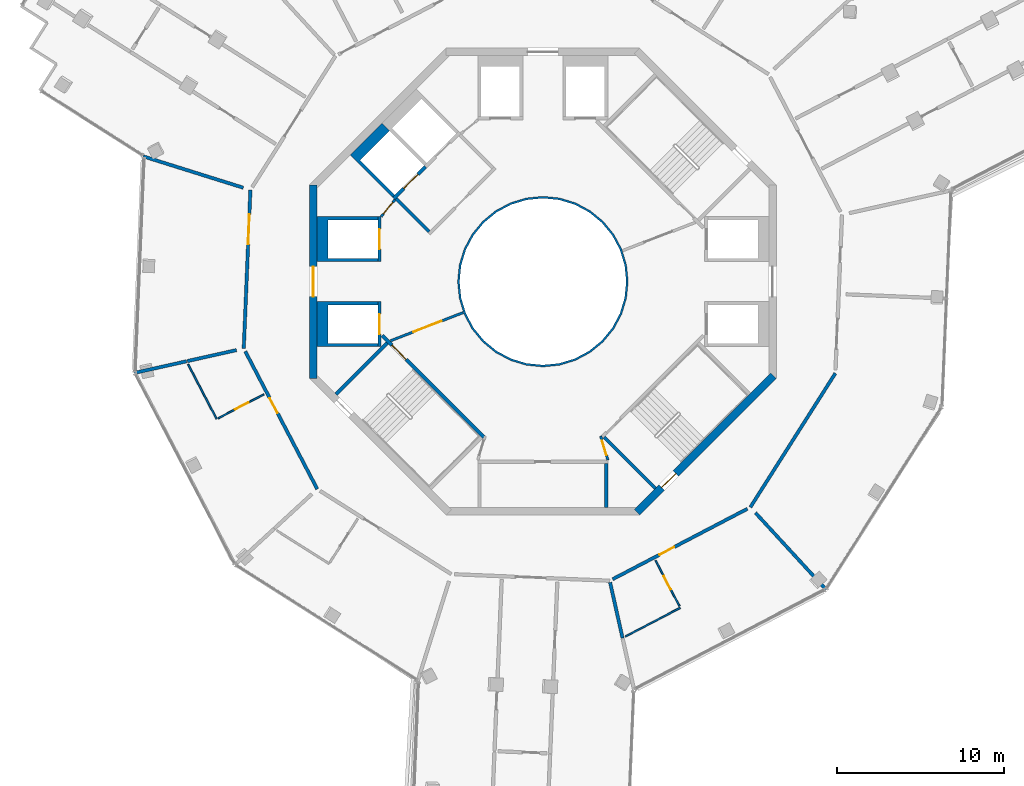
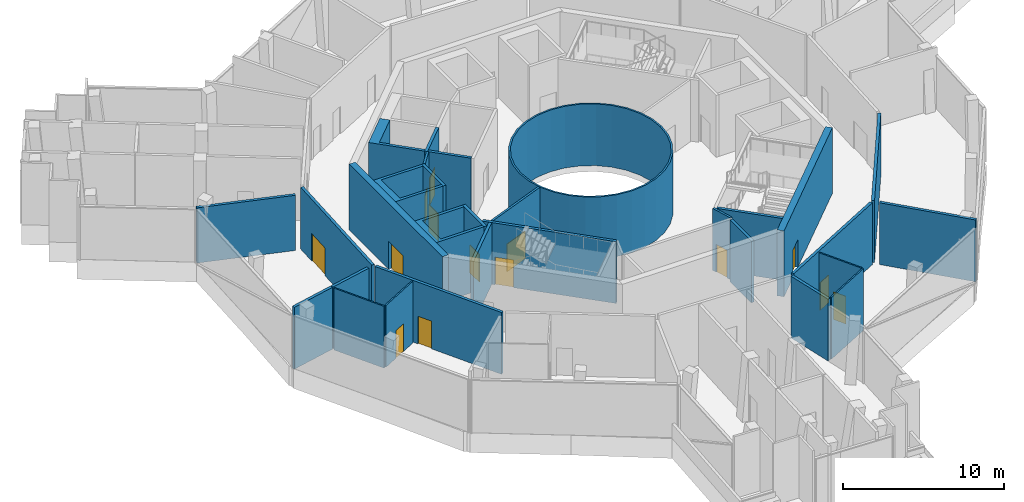
# One storey, part 12 of 21: 30 walls, 14 doors, 14 openings.
"""IFC4 building model written with IfcOpenShell, lengths in metres."""

from ifc_helpers import new_model, si_unit, direction, frame, frame_2d, origin, place, context, subcontext, project, spatial, polyline, rectangle, outline, extrude, material, layer, layer_set, type_object, element, fill, save


model = new_model("IFC4")

# Units and contexts
model_context = context("Model", 3, precision=1e-05, world=origin(), true_north=direction((0.0, 1.0)))
body_context = subcontext(model_context, "Body", "Model", "MODEL_VIEW")
ifc_project = project(units=[si_unit("LENGTHUNIT", "METRE"), si_unit("AREAUNIT", "SQUARE_METRE"), si_unit("VOLUMEUNIT", "CUBIC_METRE"), si_unit("PLANEANGLEUNIT", "RADIAN"), si_unit("MASSUNIT", "GRAM", prefix="KILO")], contexts=[model_context])

# Site, building, storey
site_placement = place(None, origin())
site = spatial("IfcSite", under=ifc_project, at=site_placement, CompositionType="ELEMENT")
building_placement = place(site_placement, origin())
building = spatial("IfcBuilding", under=site, at=building_placement, Name="Verdalira Terraces Hotel", CompositionType="ELEMENT")
storey_placement = place(building_placement, frame((0.0, 0.0, 269.0)))
storey = spatial("IfcBuildingStorey", under=building, at=storey_placement, Name="L66", CompositionType="ELEMENT", Elevation=269.0)

# Walls
ifc_material_1 = material(Name="Fire-resisting glass EI 180", Category="glass")
ifc_layer_1 = layer(ifc_material_1, 0.1201171875)
ifc_layer_set_1 = layer_set([ifc_layer_1], Name="Atrium fire screen 120 mm")
wall_type_1 = type_object("IfcWallType", Name="Atrium fire screen 120 mm", PredefinedType="SOLIDWALL", material=ifc_layer_set_1)
wall_1_placement = place(storey_placement, origin())
element("IfcWall", 1, at=wall_1_placement, inside=storey, type_object=wall_type_1, Name="Atrium fire screen", PredefinedType="SOLIDWALL", context=body_context, shape_type="SweptSolid", body=[
    extrude(outline(polyline([(5.021484, -0.998779), (4.730225, -1.959229), (4.25708, -2.844482), (3.620361, -3.620361), (2.844482, -4.25708), (1.959229, -4.730225), (0.998779, -5.021484), (0.0, -5.120117), (-0.998779, -5.021484), (-1.959229, -4.730225), (-2.844482, -4.25708), (-3.620361, -3.620361), (-4.25708, -2.844482), (-4.730225, -1.959229), (-5.021484, -0.998779), (-5.120117, 0.0), (-5.021484, 0.998779), (-4.730225, 1.959229), (-4.25708, 2.844482), (-3.620361, 3.620361), (-2.844482, 4.25708), (-1.959229, 4.730225), (-0.998779, 5.021484), (0.0, 5.120117), (0.998779, 5.021484), (1.959229, 4.730225), (2.844482, 4.25708), (3.620361, 3.620361), (4.25708, 2.844482), (4.730225, 1.959229), (5.021484, 0.998779), (5.120117, 0.0), (5.021484, -0.998779)]), holes=[polyline([(4.903809, 0.975586), (4.619385, 1.91333), (4.157227, 2.777832), (3.5354, 3.5354), (2.777832, 4.157227), (1.91333, 4.619385), (0.975586, 4.903809), (0.0, 5.0), (-0.975586, 4.903809), (-1.91333, 4.619385), (-2.777832, 4.157227), (-3.5354, 3.5354), (-4.157227, 2.777832), (-4.619385, 1.91333), (-4.903809, 0.975586), (-5.0, 0.0), (-4.903809, -0.975586), (-4.619385, -1.91333), (-4.157227, -2.777832), (-3.5354, -3.5354), (-2.777832, -4.157227), (-1.91333, -4.619385), (-0.975586, -4.903809), (0.0, -5.0), (0.975586, -4.903809), (1.91333, -4.619385), (2.777832, -4.157227), (3.5354, -3.5354), (4.157227, -2.777832), (4.619385, -1.91333), (4.903809, -0.975586), (5.0, 0.0), (4.903809, 0.975586)])]), origin(), (0.0, 0.0, 1.0), 4.689941),
])
ifc_material_2 = material(Name="Moisture-resistant gypsum board partition")
ifc_layer_2 = layer(ifc_material_2, 0.10009765625)
ifc_layer_set_2 = layer_set([ifc_layer_2], Name="Bathroom partition 100 mm")
wall_type_2 = type_object("IfcWallType", Name="Bathroom partition 100 mm", PredefinedType="PARTITIONING", material=ifc_layer_set_2)
wall_2_placement = place(storey_placement, frame((-19.565186, -8.244385, 0.0), z_axis=(0.0, 0.0, 1.0), x_axis=(-0.463302447, 0.886200227, 0.0)))
element("IfcWall", 2, at=wall_2_placement, inside=storey, type_object=wall_type_2, Name="Bathroom partition", PredefinedType="PARTITIONING", context=body_context, shape_type="SweptSolid", body=[
    extrude(rectangle(XDim=3.704102, YDim=0.100098, at=frame_2d((1.852051, 0.0))), origin(), (0.0, 0.0, 1.0), 4.689941),
])

# Wall, opening, door
wall_3_placement = place(storey_placement, frame((-19.476562, -8.197998, 0.0), z_axis=(0.0, 0.0, 1.0), x_axis=(0.886184288, 0.463332934, 0.0)))
wall_3 = element("IfcWall", 3, at=wall_3_placement, inside=storey, type_object=wall_type_2, Name="Bathroom partition", PredefinedType="PARTITIONING", context=body_context, shape_type="SweptSolid", body=[
    extrude(rectangle(XDim=3.099854, YDim=0.100098, at=frame_2d((1.549805, 0.0))), origin(), (0.0, 0.0, 1.0), 4.689941),
])
opening_1_placement = place(wall_3_placement, frame((1.149902, 0.0, 0.0)))
opening_1 = element("IfcOpeningElement", 4, at=opening_1_placement, cuts=wall_3, Name="Opening L66-107", PredefinedType="OPENING", context=body_context, shape_type="SweptSolid", body=[
    extrude(rectangle(XDim=0.899902, YDim=2.100098, at=frame_2d((0.449951, 1.050049))), frame((0.0, 0.060059, 0.0), z_axis=(0.0, -1.0, 0.0), x_axis=(1.0, 0.0, 0.0)), (0.0, 0.0, 1.0), 0.120117),
])
ifc_material_3 = material(Name="Timber door", Category="wood")
door_type_1 = type_object("IfcDoorType", Name="Bathroom door 900 x 2100", OperationType="NOTDEFINED", PredefinedType="DOOR", material=ifc_material_3)
door_1_placement = place(opening_1_placement, origin())
door_1 = element("IfcDoor", 5, at=door_1_placement, inside=storey, type_object=door_type_1, Name="Bathroom door 6603", OperationType="SINGLE_SWING_LEFT", OverallHeight=2.10009765625, OverallWidth=0.89990234375, PredefinedType="DOOR", context=body_context, shape_type="SweptSolid", body=[
    extrude(rectangle(XDim=0.899902, YDim=2.100098, at=frame_2d((0.449951, 1.050049))), frame((0.0, 0.024902, 0.0), z_axis=(0.0, -1.0, 0.0), x_axis=(1.0, 0.0, 0.0)), (0.0, 0.0, 1.0), 0.050049),
])
fill(opening_1, door_1)

# Wall
wall_4_placement = place(storey_placement, frame((8.244385, -19.565186, 0.0), z_axis=(0.0, 0.0, 1.0), x_axis=(-0.886200227, -0.463302447, 0.0)))
element("IfcWall", 6, at=wall_4_placement, inside=storey, type_object=wall_type_2, Name="Bathroom partition", PredefinedType="PARTITIONING", context=body_context, shape_type="SweptSolid", body=[
    extrude(rectangle(XDim=3.704102, YDim=0.100098, at=frame_2d((1.852051, 0.0))), origin(), (0.0, 0.0, 1.0), 4.689941),
])

# Wall, opening, door
wall_5_placement = place(storey_placement, frame((8.197998, -19.476562, 0.0), z_axis=(0.0, 0.0, 1.0), x_axis=(-0.463332934, 0.886184288, 0.0)))
wall_5 = element("IfcWall", 7, at=wall_5_placement, inside=storey, type_object=wall_type_2, Name="Bathroom partition", PredefinedType="PARTITIONING", context=body_context, shape_type="SweptSolid", body=[
    extrude(rectangle(XDim=3.099854, YDim=0.100098, at=frame_2d((1.549805, 0.0))), origin(), (0.0, 0.0, 1.0), 4.689941),
])
opening_2_placement = place(wall_5_placement, frame((1.149902, 0.0, 0.0)))
opening_2 = element("IfcOpeningElement", 8, at=opening_2_placement, cuts=wall_5, Name="Opening L66-115", PredefinedType="OPENING", context=body_context, shape_type="SweptSolid", body=[
    extrude(rectangle(XDim=0.899902, YDim=2.100098, at=frame_2d((0.449951, 1.050049))), frame((0.0, 0.060059, 0.0), z_axis=(0.0, -1.0, 0.0), x_axis=(1.0, 0.0, 0.0)), (0.0, 0.0, 1.0), 0.120117),
])
door_2_placement = place(opening_2_placement, origin())
door_2 = element("IfcDoor", 9, at=door_2_placement, inside=storey, type_object=door_type_1, Name="Bathroom door 6606", OperationType="SINGLE_SWING_LEFT", OverallHeight=2.10009765625, OverallWidth=0.89990234375, PredefinedType="DOOR", context=body_context, shape_type="SweptSolid", body=[
    extrude(rectangle(XDim=0.899902, YDim=2.100098, at=frame_2d((0.449951, 1.050049))), frame((0.0, 0.024902, 0.0), z_axis=(0.0, -1.0, 0.0), x_axis=(1.0, 0.0, 0.0)), (0.0, 0.0, 1.0), 0.050049),
])
fill(opening_2, door_2)

# Wall
ifc_material_4 = material(Name="Concrete C50", Category="concrete")
ifc_layer_3 = layer(ifc_material_4, 0.199951171875)
ifc_layer_set_3 = layer_set([ifc_layer_3], Name="Core RC wall 200 C50")
wall_type_3 = type_object("IfcWallType", Name="Core RC wall 200 C50", PredefinedType="SOLIDWALL", material=ifc_layer_set_3)
wall_6_placement = place(storey_placement, origin())
element("IfcWall", 10, at=wall_6_placement, inside=storey, type_object=wall_type_3, Name="L66 shaft wall W1", PredefinedType="SOLIDWALL", context=body_context, shape_type="SweptSolid", body=[
    extrude(outline(polyline([(-13.550049, 3.899902), (-9.899902, 3.899902), (-9.899902, 3.699951), (-12.899902, 3.699951), (-12.899902, 1.399902), (-9.899902, 1.399902), (-9.899902, 1.199951), (-13.550049, 1.199951), (-13.550049, 3.899902)])), origin(), (0.0, 0.0, 1.0), 4.689941),
])

# Wall, opening, door
wall_7_placement = place(storey_placement, frame((-9.800049, 1.199951, 0.0), z_axis=(0.0, 0.0, 1.0), x_axis=(0.0, 1.0, 0.0)))
wall_7 = element("IfcWall", 11, at=wall_7_placement, inside=storey, type_object=wall_type_3, Name="L66 shaft front wall W1", PredefinedType="SOLIDWALL", context=body_context, shape_type="SweptSolid", body=[
    extrude(rectangle(XDim=2.699951, YDim=0.199951, at=frame_2d((1.350098, 0.0))), origin(), (0.0, 0.0, 1.0), 4.689941),
])
opening_3_placement = place(wall_7_placement, frame((0.75, 0.0, 0.0)))
opening_3 = element("IfcOpeningElement", 12, at=opening_3_placement, cuts=wall_7, Name="Opening LD-L66-806", PredefinedType="OPENING", context=body_context, shape_type="SweptSolid", body=[
    extrude(rectangle(XDim=1.199951, YDim=2.100098, at=frame_2d((0.600098, 1.050049))), frame((0.0, 0.109863, 0.0), z_axis=(0.0, -1.0, 0.0), x_axis=(1.0, 0.0, 0.0)), (0.0, 0.0, 1.0), 0.219971),
])
ifc_material_5 = material(Name="Stainless steel", Category="steel")
door_type_2 = type_object("IfcDoorType", Name="Landing door 1200 x 2100", OperationType="NOTDEFINED", PredefinedType="DOOR", material=ifc_material_5)
door_3_placement = place(opening_3_placement, origin())
door_3 = element("IfcDoor", 13, at=door_3_placement, inside=storey, type_object=door_type_2, Name="Lift landing door HR5 L66", OperationType="DOUBLE_DOOR_SLIDING", OverallHeight=2.10009765625, OverallWidth=1.199951171875, PredefinedType="DOOR", context=body_context, shape_type="SweptSolid", body=[
    extrude(rectangle(XDim=1.199951, YDim=2.100098, at=frame_2d((0.600098, 1.050049))), frame((0.0, 0.024902, 0.0), z_axis=(0.0, -1.0, 0.0), x_axis=(1.0, 0.0, 0.0)), (0.0, 0.0, 1.0), 0.050049),
])
fill(opening_3, door_3)

# Wall
wall_8_placement = place(storey_placement, origin())
element("IfcWall", 14, at=wall_8_placement, inside=storey, type_object=wall_type_3, Name="L66 shaft wall W2", PredefinedType="SOLIDWALL", context=body_context, shape_type="SweptSolid", body=[
    extrude(outline(polyline([(-13.550049, -3.899902), (-13.550049, -1.199951), (-9.899902, -1.199951), (-9.899902, -1.399902), (-12.899902, -1.399902), (-12.899902, -3.699951), (-9.899902, -3.699951), (-9.899902, -3.899902), (-13.550049, -3.899902)])), origin(), (0.0, 0.0, 1.0), 4.689941),
])

# Wall, opening, door
wall_9_placement = place(storey_placement, frame((-9.800049, -1.199951, 0.0), z_axis=(0.0, 0.0, 1.0), x_axis=(0.0, -1.0, 0.0)))
wall_9 = element("IfcWall", 15, at=wall_9_placement, inside=storey, type_object=wall_type_3, Name="L66 shaft front wall W2", PredefinedType="SOLIDWALL", context=body_context, shape_type="SweptSolid", body=[
    extrude(rectangle(XDim=2.699951, YDim=0.199951, at=frame_2d((1.350098, 0.0))), origin(), (0.0, 0.0, 1.0), 4.689941),
])
opening_4_placement = place(wall_9_placement, frame((0.75, 0.0, 0.0)))
opening_4 = element("IfcOpeningElement", 16, at=opening_4_placement, cuts=wall_9, Name="Opening LD-L66-807", PredefinedType="OPENING", context=body_context, shape_type="SweptSolid", body=[
    extrude(rectangle(XDim=1.199951, YDim=2.100098, at=frame_2d((0.600098, 1.050049))), frame((0.0, 0.109863, 0.0), z_axis=(0.0, -1.0, 0.0), x_axis=(1.0, 0.0, 0.0)), (0.0, 0.0, 1.0), 0.219971),
])
door_4_placement = place(opening_4_placement, origin())
door_4 = element("IfcDoor", 17, at=door_4_placement, inside=storey, type_object=door_type_2, Name="Lift landing door HR6 L66", OperationType="DOUBLE_DOOR_SLIDING", OverallHeight=2.10009765625, OverallWidth=1.199951171875, PredefinedType="DOOR", context=body_context, shape_type="SweptSolid", body=[
    extrude(rectangle(XDim=1.199951, YDim=2.100098, at=frame_2d((0.600098, 1.050049))), frame((0.0, 0.024902, 0.0), z_axis=(0.0, -1.0, 0.0), x_axis=(1.0, 0.0, 0.0)), (0.0, 0.0, 1.0), 0.050049),
])
fill(opening_4, door_4)

# Walls
wall_10_placement = place(storey_placement, frame((3.800049, -10.899902, 0.0), z_axis=(0.0, 0.0, 1.0), x_axis=(0.0, -1.0, 0.0)))
element("IfcWall", 18, at=wall_10_placement, inside=storey, type_object=wall_type_3, Name="L66 store side wall", PredefinedType="SOLIDWALL", context=body_context, shape_type="SweptSolid", body=[
    extrude(rectangle(XDim=2.650146, YDim=0.199951, at=frame_2d((1.325195, 0.0))), origin(), (0.0, 0.0, 1.0), 4.689941),
])
wall_11_placement = place(storey_placement, origin())
element("IfcWall", 19, at=wall_11_placement, inside=storey, type_object=wall_type_3, Name="L66 shaft wall F2", PredefinedType="SOLIDWALL", context=body_context, shape_type="SweptSolid", body=[
    extrude(outline(polyline([(-11.561279, 7.601318), (-9.6521, 9.510498), (-9.192383, 9.051025), (-10.960205, 7.283203), (-8.874268, 5.197266), (-9.015625, 5.055908), (-11.561279, 7.601318)])), origin(), (0.0, 0.0, 1.0), 4.689941),
])

# Wall, opening, door
wall_12_placement = place(storey_placement, frame((-7.035645, 6.894287, 0.0), z_axis=(0.0, 0.0, 1.0), x_axis=(-0.707106781, -0.707106781, 0.0)))
wall_12 = element("IfcWall", 20, at=wall_12_placement, inside=storey, type_object=wall_type_3, Name="L66 shaft front wall F2", PredefinedType="SOLIDWALL", context=body_context, shape_type="SweptSolid", body=[
    extrude(rectangle(XDim=2.699951, YDim=0.199951, at=frame_2d((1.350098, 0.0))), origin(), (0.0, 0.0, 1.0), 4.689941),
])
opening_5_placement = place(wall_12_placement, frame((0.649902, 0.0, 0.0)))
opening_5 = element("IfcOpeningElement", 21, at=opening_5_placement, cuts=wall_12, Name="Opening LD-L66-809", PredefinedType="OPENING", context=body_context, shape_type="SweptSolid", body=[
    extrude(rectangle(XDim=1.199951, YDim=2.100098, at=frame_2d((0.600098, 1.050049))), frame((0.0, 0.109863, 0.0), z_axis=(0.0, -1.0, 0.0), x_axis=(1.0, 0.0, 0.0)), (0.0, 0.0, 1.0), 0.219971),
])
door_5_placement = place(opening_5_placement, origin())
door_5 = element("IfcDoor", 22, at=door_5_placement, inside=storey, type_object=door_type_2, Name="Lift landing door LF12 L66", OperationType="DOUBLE_DOOR_SLIDING", OverallHeight=2.10009765625, OverallWidth=1.199951171875, PredefinedType="DOOR", context=body_context, shape_type="SweptSolid", body=[
    extrude(rectangle(XDim=1.199951, YDim=2.100098, at=frame_2d((0.600098, 1.050049))), frame((0.0, 0.024902, 0.0), z_axis=(0.0, -1.0, 0.0), x_axis=(1.0, 0.0, 0.0)), (0.0, 0.0, 1.0), 0.050049),
])
fill(opening_5, door_5)

wall_13_placement = place(storey_placement, frame((-3.5354, -9.33374, 0.0), z_axis=(0.0, 0.0, 1.0), x_axis=(-0.707120946, 0.707092617, 0.0)))
wall_13 = element("IfcWall", 23, at=wall_13_placement, inside=storey, type_object=wall_type_3, Name="L66 stair ST2 front wall", PredefinedType="SOLIDWALL", context=body_context, shape_type="SweptSolid", body=[
    extrude(rectangle(XDim=8.61792, YDim=0.199951, at=frame_2d((4.309082, 0.0))), origin(), (0.0, 0.0, 1.0), 4.689941),
])
opening_6_placement = place(wall_13_placement, frame((6.600098, 0.0, 0.0)))
opening_6 = element("IfcOpeningElement", 24, at=opening_6_placement, cuts=wall_13, Name="Opening L66-811", PredefinedType="OPENING", context=body_context, shape_type="SweptSolid", body=[
    extrude(rectangle(XDim=1.199951, YDim=2.100098, at=frame_2d((0.600098, 1.050049))), frame((0.0, 0.109863, 0.0), z_axis=(0.0, -1.0, 0.0), x_axis=(1.0, 0.0, 0.0)), (0.0, 0.0, 1.0), 0.219971),
])
ifc_material_6 = material(Name="Steel fire door", Category="steel")
door_type_3 = type_object("IfcDoorType", Name="Stair door 1200 x 2100", OperationType="NOTDEFINED", PredefinedType="DOOR", material=ifc_material_6)
door_6_placement = place(opening_6_placement, origin())
door_6 = element("IfcDoor", 25, at=door_6_placement, inside=storey, type_object=door_type_3, Name="Stair door ST2 L66", OperationType="SINGLE_SWING_RIGHT", OverallHeight=2.10009765625, OverallWidth=1.199951171875, PredefinedType="DOOR", context=body_context, shape_type="SweptSolid", body=[
    extrude(rectangle(XDim=1.199951, YDim=2.100098, at=frame_2d((0.600098, 1.050049))), frame((0.0, 0.024902, 0.0), z_axis=(0.0, -1.0, 0.0), x_axis=(1.0, 0.0, 0.0)), (0.0, 0.0, 1.0), 0.050049),
])
fill(opening_6, door_6)

# Walls
for number, where, z_axis, x_axis, name in (
    (26, (-9.33374, -3.677002, 0.0), (0.0, 0.0, 1.0), (-0.707106781, -0.707106781, 0.0), "L66 stair ST2 end wall 1"),
    (27, (3.677002, -9.33374, 0.0), (0.0, 0.0, 1.0), (0.707106781, -0.707106781, 0.0), "L66 stair ST3 end wall 1"),
):
    element("IfcWall", number, at=place(storey_placement, frame(where, z_axis=z_axis, x_axis=x_axis)), inside=storey, type_object=wall_type_3, Name=name, PredefinedType="SOLIDWALL", context=body_context, shape_type="SweptSolid", body=[
        extrude(rectangle(XDim=4.350098, YDim=0.199951, at=frame_2d((2.175049, 0.0))), origin(), (0.0, 0.0, 1.0), 4.689941),
    ])
wall_14_placement = place(storey_placement, frame((-6.823486, 3.005127, 0.0), z_axis=(0.0, 0.0, 1.0), x_axis=(-0.707106781, 0.707106781, 0.0)))
element("IfcWall", 28, at=wall_14_placement, inside=storey, type_object=wall_type_3, Name="L66 fire lobby wall", PredefinedType="SOLIDWALL", context=body_context, shape_type="SweptSolid", body=[
    extrude(rectangle(XDim=2.800049, YDim=0.199951, at=frame_2d((1.399902, 0.0))), origin(), (0.0, 0.0, 1.0), 4.689941),
])

# Wall, opening, door
ifc_material_7 = material(Name="Gypsum board partition")
ifc_layer_4 = layer(ifc_material_7, 0.14990234375)
ifc_layer_set_4 = layer_set([ifc_layer_4], Name="Core partition 150 mm")
wall_type_4 = type_object("IfcWallType", Name="Core partition 150 mm", PredefinedType="PARTITIONING", material=ifc_layer_set_4)
wall_15_placement = place(storey_placement, frame((-8.874268, 4.914307, 0.0), z_axis=(0.0, 0.0, 1.0), x_axis=(-0.631274009, -0.775559878, 0.0)))
wall_15 = element("IfcWall", 29, at=wall_15_placement, inside=storey, type_object=wall_type_4, Name="Room partition L66", PredefinedType="PARTITIONING", context=body_context, shape_type="SweptSolid", body=[
    extrude(rectangle(XDim=1.307861, YDim=0.149902, at=frame_2d((0.653809, 0.0))), origin(), (0.0, 0.0, 1.0), 4.689941),
])
opening_7_placement = place(wall_15_placement, frame((0.204102, 0.0, 0.0)))
opening_7 = element("IfcOpeningElement", 30, at=opening_7_placement, cuts=wall_15, Name="Opening L66-821", PredefinedType="OPENING", context=body_context, shape_type="SweptSolid", body=[
    extrude(rectangle(XDim=0.899902, YDim=2.100098, at=frame_2d((0.449951, 1.050049))), frame((0.0, 0.084961, 0.0), z_axis=(0.0, -1.0, 0.0), x_axis=(1.0, 0.0, 0.0)), (0.0, 0.0, 1.0), 0.169922),
])
ifc_material_8 = material(Name="Steel fire door", Category="steel")
door_type_4 = type_object("IfcDoorType", Name="Core room door 900 x 2100", OperationType="NOTDEFINED", PredefinedType="DOOR", material=ifc_material_8)
door_7_placement = place(opening_7_placement, origin())
door_7 = element("IfcDoor", 31, at=door_7_placement, inside=storey, type_object=door_type_4, Name="Door L66 room3", OperationType="SINGLE_SWING_LEFT", OverallHeight=2.10009765625, OverallWidth=0.89990234375, PredefinedType="DOOR", context=body_context, shape_type="SweptSolid", body=[
    extrude(rectangle(XDim=0.899902, YDim=2.100098, at=frame_2d((0.449951, 1.050049))), frame((0.0, 0.024902, 0.0), z_axis=(0.0, -1.0, 0.0), x_axis=(1.0, 0.0, 0.0)), (0.0, 0.0, 1.0), 0.050049),
])
fill(opening_7, door_7)

wall_16_placement = place(storey_placement, frame((3.899902, -10.699951, 0.0), z_axis=(0.0, 0.0, 1.0), x_axis=(-0.289808785, 0.957084567, 0.0)))
wall_16 = element("IfcWall", 32, at=wall_16_placement, inside=storey, type_object=wall_type_4, Name="Room partition L66", PredefinedType="PARTITIONING", context=body_context, shape_type="SweptSolid", body=[
    extrude(rectangle(XDim=1.501221, YDim=0.149902, at=frame_2d((0.750488, 0.0))), origin(), (0.0, 0.0, 1.0), 4.689941),
])
opening_8_placement = place(wall_16_placement, frame((0.300781, 0.0, 0.0)))
opening_8 = element("IfcOpeningElement", 33, at=opening_8_placement, cuts=wall_16, Name="Opening L66-823", PredefinedType="OPENING", context=body_context, shape_type="SweptSolid", body=[
    extrude(rectangle(XDim=0.899902, YDim=2.100098, at=frame_2d((0.449951, 1.050049))), frame((0.0, 0.084961, 0.0), z_axis=(0.0, -1.0, 0.0), x_axis=(1.0, 0.0, 0.0)), (0.0, 0.0, 1.0), 0.169922),
])
door_8_placement = place(opening_8_placement, origin())
door_8 = element("IfcDoor", 34, at=door_8_placement, inside=storey, type_object=door_type_4, Name="Door L66 room6", OperationType="SINGLE_SWING_LEFT", OverallHeight=2.10009765625, OverallWidth=0.89990234375, PredefinedType="DOOR", context=body_context, shape_type="SweptSolid", body=[
    extrude(rectangle(XDim=0.899902, YDim=2.100098, at=frame_2d((0.449951, 1.050049))), frame((0.0, 0.024902, 0.0), z_axis=(0.0, -1.0, 0.0), x_axis=(1.0, 0.0, 0.0)), (0.0, 0.0, 1.0), 0.050049),
])
fill(opening_8, door_8)

wall_17_placement = place(storey_placement, frame((-4.781982, -1.857178, 0.0), z_axis=(0.0, 0.0, 1.0), x_axis=(-0.932167228, -0.36202798, 0.0)))
wall_17 = element("IfcWall", 35, at=wall_17_placement, inside=storey, type_object=wall_type_4, Name="Gallery fire partition L66", PredefinedType="PARTITIONING", context=body_context, shape_type="SweptSolid", body=[
    extrude(rectangle(XDim=4.676025, YDim=0.149902, at=frame_2d((2.337891, 0.0))), origin(), (0.0, 0.0, 1.0), 4.689941),
])
opening_9_placement = place(wall_17_placement, frame((1.399902, 0.0, 0.0)))
opening_9 = element("IfcOpeningElement", 36, at=opening_9_placement, cuts=wall_17, Name="Opening L66-825", PredefinedType="OPENING", context=body_context, shape_type="SweptSolid", body=[
    extrude(rectangle(XDim=1.800049, YDim=2.100098, at=frame_2d((0.899902, 1.050049))), frame((0.0, 0.084961, 0.0), z_axis=(0.0, -1.0, 0.0), x_axis=(1.0, 0.0, 0.0)), (0.0, 0.0, 1.0), 0.169922),
])
ifc_material_9 = material(Name="Steel fire door", Category="steel")
door_type_5 = type_object("IfcDoorType", Name="Gallery fire door pair 1800 x 2100", OperationType="NOTDEFINED", PredefinedType="DOOR", material=ifc_material_9)
door_9_placement = place(opening_9_placement, origin())
door_9 = element("IfcDoor", 37, at=door_9_placement, inside=storey, type_object=door_type_5, Name="Door L66 split4", OperationType="DOUBLE_DOOR_SINGLE_SWING", OverallHeight=2.10009765625, OverallWidth=1.800048828125, PredefinedType="DOOR", context=body_context, shape_type="SweptSolid", body=[
    extrude(rectangle(XDim=1.800049, YDim=2.100098, at=frame_2d((0.899902, 1.050049))), frame((0.0, 0.024902, 0.0), z_axis=(0.0, -1.0, 0.0), x_axis=(1.0, 0.0, 0.0)), (0.0, 0.0, 1.0), 0.050049),
])
fill(opening_9, door_9)

ifc_material_10 = material(Name="Concrete C50", Category="concrete")
ifc_layer_5 = layer(ifc_material_10, 0.449951171875)
ifc_layer_set_5 = layer_set([ifc_layer_5], Name="Core wall 450 C50")
wall_type_5 = type_object("IfcWallType", Name="Core wall 450 C50", PredefinedType="SHEAR", material=ifc_layer_set_5)
wall_18_placement = place(storey_placement, frame((-13.774902, 5.799072, 0.0), z_axis=(0.0, 0.0, 1.0), x_axis=(0.0, -1.0, 0.0)))
wall_18 = element("IfcWall", 38, at=wall_18_placement, inside=storey, type_object=wall_type_5, Name="Core wall CW-L66-5", PredefinedType="SHEAR", context=body_context, shape_type="SweptSolid", body=[
    extrude(rectangle(XDim=11.598145, YDim=0.449951, at=frame_2d((5.799072, 0.0))), origin(), (0.0, 0.0, 1.0), 5.0),
])
opening_10_placement = place(wall_18_placement, frame((4.898926, 0.0, 0.0)))
opening_10 = element("IfcOpeningElement", 39, at=opening_10_placement, cuts=wall_18, Name="Opening L66-815", PredefinedType="OPENING", context=body_context, shape_type="SweptSolid", body=[
    extrude(rectangle(XDim=1.800049, YDim=2.100098, at=frame_2d((0.899902, 1.050049))), frame((0.0, 0.234863, 0.0), z_axis=(0.0, -1.0, 0.0), x_axis=(1.0, 0.0, 0.0)), (0.0, 0.0, 1.0), 0.469971),
])
ifc_material_11 = material(Name="Steel fire door", Category="steel")
door_type_6 = type_object("IfcDoorType", Name="Core entry door pair 1800 x 2100", OperationType="NOTDEFINED", PredefinedType="DOOR", material=ifc_material_11)
door_10_placement = place(opening_10_placement, origin())
door_10 = element("IfcDoor", 40, at=door_10_placement, inside=storey, type_object=door_type_6, Name="Core entry door L66 4", OperationType="DOUBLE_DOOR_SINGLE_SWING", OverallHeight=2.10009765625, OverallWidth=1.800048828125, PredefinedType="DOOR", context=body_context, shape_type="SweptSolid", body=[
    extrude(rectangle(XDim=1.800049, YDim=2.100098, at=frame_2d((0.899902, 1.050049))), frame((0.0, 0.024902, 0.0), z_axis=(0.0, -1.0, 0.0), x_axis=(1.0, 0.0, 0.0)), (0.0, 0.0, 1.0), 0.050049),
])
fill(opening_10, door_10)

wall_19_placement = place(storey_placement, frame((5.639893, -13.84082, 0.0), z_axis=(0.0, 0.0, 1.0), x_axis=(0.707106781, 0.707106781, 0.0)))
wall_19 = element("IfcWall", 41, at=wall_19_placement, inside=storey, type_object=wall_type_5, Name="Core wall CW-L66-8", PredefinedType="SHEAR", context=body_context, shape_type="SweptSolid", body=[
    extrude(rectangle(XDim=11.5979, YDim=0.449951, at=frame_2d((5.798828, 0.0))), origin(), (0.0, 0.0, 1.0), 5.0),
])
opening_11_placement = place(wall_19_placement, frame((2.099121, 0.0, 0.0)))
opening_11 = element("IfcOpeningElement", 42, at=opening_11_placement, cuts=wall_19, Name="Opening L66-818", PredefinedType="OPENING", context=body_context, shape_type="SweptSolid", body=[
    extrude(rectangle(XDim=1.199951, YDim=2.100098, at=frame_2d((0.600098, 1.050049))), frame((0.0, 0.234863, 0.0), z_axis=(0.0, -1.0, 0.0), x_axis=(1.0, 0.0, 0.0)), (0.0, 0.0, 1.0), 0.469971),
])
door_11_placement = place(opening_11_placement, origin())
door_11 = element("IfcDoor", 43, at=door_11_placement, inside=storey, type_object=door_type_3, Name="Stair exit door ST3 L66", OperationType="SINGLE_SWING_LEFT", OverallHeight=2.10009765625, OverallWidth=1.199951171875, PredefinedType="DOOR", context=body_context, shape_type="SweptSolid", body=[
    extrude(rectangle(XDim=1.199951, YDim=2.100098, at=frame_2d((0.600098, 1.050049))), frame((0.0, 0.024902, 0.0), z_axis=(0.0, -1.0, 0.0), x_axis=(1.0, 0.0, 0.0)), (0.0, 0.0, 1.0), 0.050049),
])
fill(opening_11, door_11)

# Walls
ifc_material_12 = material(Name="Fire-rated gypsum board wall")
ifc_layer_6 = layer(ifc_material_12, 0.199951171875)
ifc_layer_set_6 = layer_set([ifc_layer_6], Name="Demising wall 200 mm")
wall_type_6 = type_object("IfcWallType", Name="Demising wall 200 mm", PredefinedType="SOLIDWALL", material=ifc_layer_set_6)
wall_20_placement = place(storey_placement, frame((-21.375244, -4.777832, 0.0), z_axis=(0.0, 0.0, 1.0), x_axis=(-0.975907203, -0.218185999, 0.0)))
element("IfcWall", 44, at=wall_20_placement, inside=storey, type_object=wall_type_6, Name="Demising wall", PredefinedType="SOLIDWALL", context=body_context, shape_type="SweptSolid", body=[
    extrude(rectangle(XDim=3.211426, YDim=0.199951, at=frame_2d((1.605713, 0.0))), origin(), (0.0, 0.0, 1.0), 4.689941),
])
wall_21_placement = place(storey_placement, frame((-18.378418, -4.108154, 0.0), z_axis=(0.0, 0.0, 1.0), x_axis=(-0.975928079, -0.218092604, 0.0)))
element("IfcWall", 45, at=wall_21_placement, inside=storey, type_object=wall_type_6, Name="Demising wall", PredefinedType="SOLIDWALL", context=body_context, shape_type="SweptSolid", body=[
    extrude(rectangle(XDim=3.024658, YDim=0.199951, at=frame_2d((1.512207, 0.0))), origin(), (0.0, 0.0, 1.0), 4.689941),
])
wall_22_placement = place(storey_placement, frame((4.033203, -18.042969, 0.0), z_axis=(0.0, 0.0, 1.0), x_axis=(0.218109953, -0.975924202, 0.0)))
element("IfcWall", 46, at=wall_22_placement, inside=storey, type_object=wall_type_6, Name="Demising wall", PredefinedType="SOLIDWALL", context=body_context, shape_type="SweptSolid", body=[
    extrude(rectangle(XDim=3.418457, YDim=0.199951, at=frame_2d((1.709229, 0.0))), origin(), (0.0, 0.0, 1.0), 4.689941),
])
wall_23_placement = place(storey_placement, frame((16.999023, -18.486328, 0.0), z_axis=(0.0, 0.0, 1.0), x_axis=(-0.676871278, 0.736101401, 0.0)))
element("IfcWall", 47, at=wall_23_placement, inside=storey, type_object=wall_type_6, Name="Demising wall", PredefinedType="SOLIDWALL", context=body_context, shape_type="SweptSolid", body=[
    extrude(rectangle(XDim=6.281738, YDim=0.199951, at=frame_2d((3.140869, 0.0))), origin(), (0.0, 0.0, 1.0), 4.689941),
])
ifc_material_13 = material(Name="Fire-rated gypsum board wall")
ifc_layer_7 = layer(ifc_material_13, 0.199951171875)
ifc_layer_set_7 = layer_set([ifc_layer_7], Name="Demising wall 200 mm to beam soffit")
wall_type_7 = type_object("IfcWallType", Name="Demising wall 200 mm to beam soffit", PredefinedType="SOLIDWALL", material=ifc_layer_set_7)
wall_24_placement = place(storey_placement, frame((-17.970215, 5.631592, 0.0), z_axis=(0.0, 0.0, 1.0), x_axis=(-0.954248725, 0.299013997, 0.0)))
element("IfcWall", 48, at=wall_24_placement, inside=storey, type_object=wall_type_7, Name="Demising wall", PredefinedType="SOLIDWALL", context=body_context, shape_type="SweptSolid", body=[
    extrude(rectangle(XDim=6.281982, YDim=0.199951, at=frame_2d((3.141113, 0.0))), origin(), (0.0, 0.0, 1.0), 4.189941),
])

# Wall, opening, door
ifc_material_14 = material(Name="Fire-rated gypsum board wall")
ifc_layer_8 = layer(ifc_material_14, 0.199951171875)
ifc_layer_set_8 = layer_set([ifc_layer_8], Name="Guest corridor wall 200 mm")
wall_type_8 = type_object("IfcWallType", Name="Guest corridor wall 200 mm", PredefinedType="SOLIDWALL", material=ifc_layer_set_8)
wall_25_placement = place(storey_placement, frame((-17.941895, -4.010498, 0.0), z_axis=(0.0, 0.0, 1.0), x_axis=(0.041867432, 0.999123175, 0.0)))
wall_25 = element("IfcWall", 49, at=wall_25_placement, inside=storey, type_object=wall_type_8, Name="Guest corridor wall", PredefinedType="SOLIDWALL", context=body_context, shape_type="SweptSolid", body=[
    extrude(rectangle(XDim=9.516602, YDim=0.199951, at=frame_2d((4.758301, 0.0))), origin(), (0.0, 0.0, 1.0), 4.689941),
])
opening_12_placement = place(wall_25_placement, frame((6.25, 0.0, 0.0)))
opening_12 = element("IfcOpeningElement", 50, at=opening_12_placement, cuts=wall_25, Name="Opening L66-105", PredefinedType="OPENING", context=body_context, shape_type="SweptSolid", body=[
    extrude(rectangle(XDim=1.800049, YDim=2.100098, at=frame_2d((0.899902, 1.050049))), frame((0.0, 0.109863, 0.0), z_axis=(0.0, -1.0, 0.0), x_axis=(1.0, 0.0, 0.0)), (0.0, 0.0, 1.0), 0.219971),
])
ifc_material_15 = material(Name="Timber fire door", Category="wood")
door_type_7 = type_object("IfcDoorType", Name="Public room double door 1800 x 2100", OperationType="NOTDEFINED", PredefinedType="DOOR", material=ifc_material_15)
door_12_placement = place(opening_12_placement, origin())
door_12 = element("IfcDoor", 51, at=door_12_placement, inside=storey, type_object=door_type_7, Name="Public room double door 6602", OperationType="DOUBLE_DOOR_SINGLE_SWING", OverallHeight=2.10009765625, OverallWidth=1.800048828125, PredefinedType="DOOR", context=body_context, shape_type="SweptSolid", body=[
    extrude(rectangle(XDim=1.800049, YDim=2.100098, at=frame_2d((0.899902, 1.050049))), frame((0.0, 0.024902, 0.0), z_axis=(0.0, -1.0, 0.0), x_axis=(1.0, 0.0, 0.0)), (0.0, 0.0, 1.0), 0.050049),
])
fill(opening_12, door_12)

wall_26_placement = place(storey_placement, frame((-13.532959, -12.444092, 0.0), z_axis=(0.0, 0.0, 1.0), x_axis=(-0.463303791, 0.886199525, 0.0)))
wall_26 = element("IfcWall", 52, at=wall_26_placement, inside=storey, type_object=wall_type_8, Name="Guest corridor wall", PredefinedType="SOLIDWALL", context=body_context, shape_type="SweptSolid", body=[
    extrude(rectangle(XDim=9.31665, YDim=0.199951, at=frame_2d((4.658203, 0.0))), origin(), (0.0, 0.0, 1.0), 4.689941),
])
opening_13_placement = place(wall_26_placement, frame((5.149902, 0.0, 0.0)))
opening_13 = element("IfcOpeningElement", 53, at=opening_13_placement, cuts=wall_26, Name="Opening L66-106", PredefinedType="OPENING", context=body_context, shape_type="SweptSolid", body=[
    extrude(rectangle(XDim=1.0, YDim=2.100098, at=frame_2d((0.5, 1.050049))), frame((0.0, 0.109863, 0.0), z_axis=(0.0, -1.0, 0.0), x_axis=(1.0, 0.0, 0.0)), (0.0, 0.0, 1.0), 0.219971),
])
ifc_material_16 = material(Name="Timber fire door", Category="wood")
door_type_8 = type_object("IfcDoorType", Name="Guest entry door 1000 x 2100", OperationType="NOTDEFINED", PredefinedType="DOOR", material=ifc_material_16)
door_13_placement = place(opening_13_placement, origin())
door_13 = element("IfcDoor", 54, at=door_13_placement, inside=storey, type_object=door_type_8, Name="Guest entry door 6603", OperationType="SINGLE_SWING_LEFT", OverallHeight=2.10009765625, OverallWidth=1.0, PredefinedType="DOOR", context=body_context, shape_type="SweptSolid", body=[
    extrude(rectangle(XDim=1.0, YDim=2.100098, at=frame_2d((0.5, 1.050049))), frame((0.0, 0.024902, 0.0), z_axis=(0.0, -1.0, 0.0), x_axis=(1.0, 0.0, 0.0)), (0.0, 0.0, 1.0), 0.050049),
])
fill(opening_13, door_13)

wall_27_placement = place(storey_placement, frame((12.266846, -13.625732, 0.0), z_axis=(0.0, 0.0, 1.0), x_axis=(-0.886204454, -0.463294363, 0.0)))
wall_27 = element("IfcWall", 55, at=wall_27_placement, inside=storey, type_object=wall_type_8, Name="Guest corridor wall", PredefinedType="SOLIDWALL", context=body_context, shape_type="SweptSolid", body=[
    extrude(rectangle(XDim=9.116455, YDim=0.199951, at=frame_2d((4.558105, 0.0))), origin(), (0.0, 0.0, 1.0), 4.689941),
])
opening_14_placement = place(wall_27_placement, frame((4.949951, 0.0, 0.0)))
opening_14 = element("IfcOpeningElement", 56, at=opening_14_placement, cuts=wall_27, Name="Opening L66-114", PredefinedType="OPENING", context=body_context, shape_type="SweptSolid", body=[
    extrude(rectangle(XDim=1.0, YDim=2.100098, at=frame_2d((0.5, 1.050049))), frame((0.0, 0.109863, 0.0), z_axis=(0.0, -1.0, 0.0), x_axis=(1.0, 0.0, 0.0)), (0.0, 0.0, 1.0), 0.219971),
])
door_14_placement = place(opening_14_placement, origin())
door_14 = element("IfcDoor", 57, at=door_14_placement, inside=storey, type_object=door_type_8, Name="Guest entry door 6606", OperationType="SINGLE_SWING_LEFT", OverallHeight=2.10009765625, OverallWidth=1.0, PredefinedType="DOOR", context=body_context, shape_type="SweptSolid", body=[
    extrude(rectangle(XDim=1.0, YDim=2.100098, at=frame_2d((0.5, 1.050049))), frame((0.0, 0.024902, 0.0), z_axis=(0.0, -1.0, 0.0), x_axis=(1.0, 0.0, 0.0)), (0.0, 0.0, 1.0), 0.050049),
])
fill(opening_14, door_14)

# Wall
wall_28_placement = place(storey_placement, frame((12.444092, -13.532959, 0.0), z_axis=(0.0, 0.0, 1.0), x_axis=(0.535839212, 0.844320045, 0.0)))
element("IfcWall", 58, at=wall_28_placement, inside=storey, type_object=wall_type_8, Name="Guest corridor wall", PredefinedType="SOLIDWALL", context=body_context, shape_type="SweptSolid", body=[
    extrude(rectangle(XDim=9.516113, YDim=0.199951, at=frame_2d((4.758057, 0.0))), origin(), (0.0, 0.0, 1.0), 4.689941),
])

save(model, "model.ifc")
